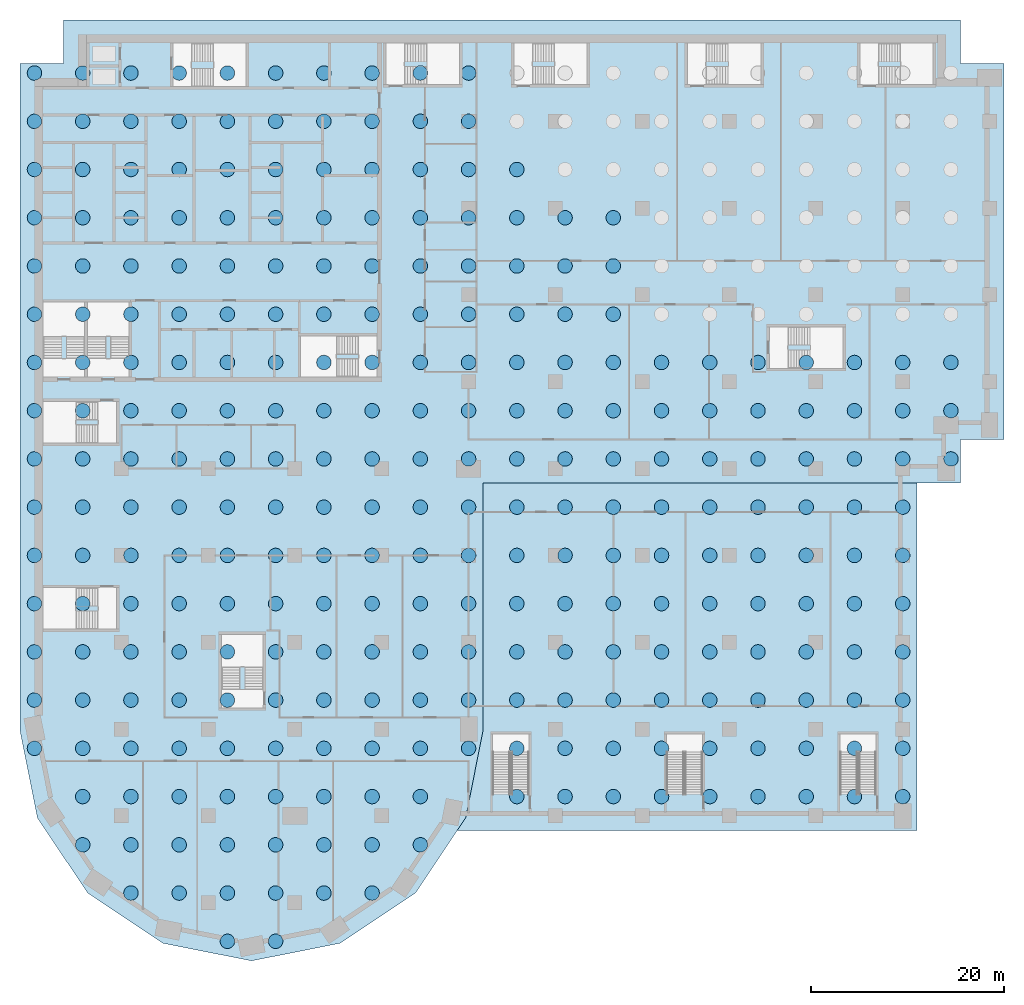
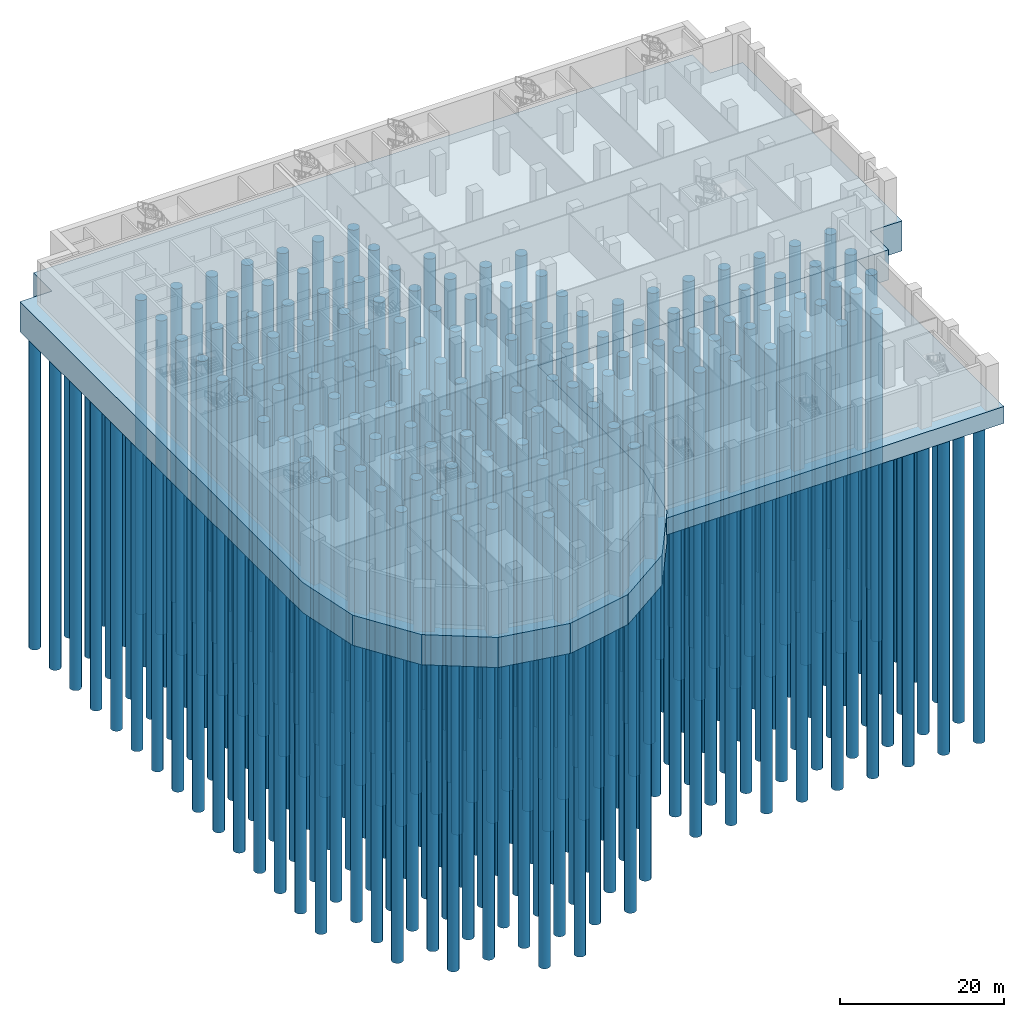
# One storey, part 1 of 25: 277 piles, 2 footings.
"""IFC4 building model written with IfcOpenShell, lengths in metres."""

import ifcopenshell
import ifcopenshell.guid

model = None  # the IFC model being written
_history = None  # IfcOwnerHistory: only IFC2X3 demands one
_inside = {}  # id of a spatial element -> (the spatial element, [elements in it])
_under = {}  # id of a project, library or spatial element -> (it, [spatial elements below it])
_declared = {}  # id of a project -> (the project, [libraries it declares])
_typed = {}  # id of a type object -> (the type object, [elements of that type])
_made_of = {}  # id of a material, layer set ... -> (it, [elements and type objects made of it])


def new_model(schema):
    """Start an empty IFC model of exactly this schema.

    Asked for "IFC4X3", IfcOpenShell would pick the latest addendum, in which some entities
    have other attributes; the version numbers below select the first issue.
    IFC2X3 requires an IfcOwnerHistory on every rooted entity: one is made here for all.
    """
    global model, _history
    if schema == "IFC4X3":
        model = ifcopenshell.file(schema_version=(4, 3, 0, 0))
    else:
        model = ifcopenshell.file(schema=schema)
    _inside.clear()
    _under.clear()
    _declared.clear()
    _typed.clear()
    _made_of.clear()
    _history = None
    if model.schema == "IFC2X3":
        org = make("IfcOrganization", Name="unknown")
        user = make(
            "IfcPersonAndOrganization",
            ThePerson=make("IfcPerson", FamilyName="unknown"),
            TheOrganization=org,
        )
        app = make(
            "IfcApplication",
            ApplicationDeveloper=org,
            Version="unknown",
            ApplicationFullName="unknown",
            ApplicationIdentifier="unknown",
        )
        _history = make(
            "IfcOwnerHistory",
            OwningUser=user,
            OwningApplication=app,
            ChangeAction="ADDED",
            CreationDate=0,
        )
    return model


def make(cls, **values):
    """One entity of the class cls with the attributes given. An attribute that is None is left unset."""
    return model.create_entity(
        cls, **{name: value for name, value in values.items() if value is not None}
    )


def rooted(cls, **values):
    """An entity with a GlobalId (a new one), such as an element, a storey or a relation."""
    return make(cls, GlobalId=ifcopenshell.guid.new(), OwnerHistory=_history, **values)


def si_unit(unit_type, name, prefix=None):
    """IfcSIUnit, for example si_unit("LENGTHUNIT", "METRE", prefix="MILLI")."""
    return make("IfcSIUnit", UnitType=unit_type, Prefix=prefix, Name=name)


def assignment(units):
    """IfcUnitAssignment: the units of a project."""
    return None if units is None else make("IfcUnitAssignment", Units=units)


def point(xyz):
    """IfcCartesianPoint."""
    return None if xyz is None else make("IfcCartesianPoint", Coordinates=xyz)


def direction(xyz):
    """IfcDirection."""
    return None if xyz is None else make("IfcDirection", DirectionRatios=xyz)


def frame(location, z_axis=None, x_axis=None):
    """IfcAxis2Placement3D, a coordinate frame: its origin and axes. An axis left out is left unset."""
    return make(
        "IfcAxis2Placement3D",
        Location=point(location),
        Axis=direction(z_axis),
        RefDirection=direction(x_axis),
    )


def frame_2d(location, x_axis=None):
    """IfcAxis2Placement2D, a coordinate frame in the plane: its origin and x axis."""
    return make(
        "IfcAxis2Placement2D", Location=point(location), RefDirection=direction(x_axis)
    )


def origin():
    """The frame at (0, 0, 0) with its axes left unset."""
    return frame((0.0, 0.0, 0.0))


def origin_2d():
    """The frame at (0, 0) in the plane with its x axis left unset."""
    return frame_2d((0.0, 0.0))


def place(relative_to, where):
    """IfcLocalPlacement: puts the frame where relative to a parent placement (None: the world)."""
    return make(
        "IfcLocalPlacement", PlacementRelTo=relative_to, RelativePlacement=where
    )


def context(
    kind, dimensions, precision=None, world=None, true_north=None, identifier=None
):
    """IfcGeometricRepresentationContext, for example the 3D "Model" context."""
    return make(
        "IfcGeometricRepresentationContext",
        ContextIdentifier=identifier,
        ContextType=kind,
        CoordinateSpaceDimension=dimensions,
        Precision=precision,
        WorldCoordinateSystem=world,
        TrueNorth=true_north,
    )


def subcontext(parent, identifier, kind, view, scale=None):
    """IfcGeometricRepresentationSubContext, for example "Body" below "Model"."""
    return make(
        "IfcGeometricRepresentationSubContext",
        ContextIdentifier=identifier,
        ContextType=kind,
        ParentContext=parent,
        TargetScale=scale,
        TargetView=view,
    )


def project(units=None, contexts=None):
    """IfcProject with its units and contexts."""
    return rooted(
        "IfcProject",
        Name="project",
        RepresentationContexts=contexts,
        UnitsInContext=assignment(units),
    )


def spatial(cls, under=None, at=None, **own):
    """A site, building, storey or space (cls), placed at a placement, below another one or the project."""
    s = rooted(cls, ObjectPlacement=at, **own)
    if under is not None:
        _under.setdefault(under.id(), (under, []))[1].append(s)
    return s


def polyline(points):
    """IfcPolyline through the points."""
    return make("IfcPolyline", Points=[point(p) for p in points])


def profile(cls, at=None, kind="AREA", **sizes):
    """A parametric profile (cls). Its sizes go by their IFC names, for example OverallWidth=200.0."""
    return make(cls, ProfileType=kind, Position=at, **sizes)


def circle(**sizes):
    """IfcCircleProfileDef."""
    return profile("IfcCircleProfileDef", **sizes)


def outline(outer, holes=None, kind="AREA"):
    """IfcArbitraryClosedProfileDef: a profile drawn as a closed curve; with holes, ...WithVoids."""
    if holes is None:
        return make("IfcArbitraryClosedProfileDef", ProfileType=kind, OuterCurve=outer)
    return make(
        "IfcArbitraryProfileDefWithVoids",
        ProfileType=kind,
        OuterCurve=outer,
        InnerCurves=holes,
    )


def extrude(swept, where, along, depth):
    """IfcExtrudedAreaSolid: the profile swept, set in the frame where, extruded along a direction by depth."""
    return make(
        "IfcExtrudedAreaSolid",
        SweptArea=swept,
        Position=where,
        ExtrudedDirection=direction(along),
        Depth=depth,
    )


def shape(context_of_items, identifier, shape_type, items):
    """IfcShapeRepresentation: the items that make up one representation, for example the "Body"."""
    return make(
        "IfcShapeRepresentation",
        ContextOfItems=context_of_items,
        RepresentationIdentifier=identifier,
        RepresentationType=shape_type,
        Items=items,
    )


def material(Name=None, Category=None):
    """IfcMaterial."""
    return make("IfcMaterial", Name=Name, Category=Category)


def layer(
    of_material, thickness, ventilated=None, Name=None, Category=None, Priority=None
):
    """IfcMaterialLayer: one layer of a wall or slab, of a material (None: an air gap)."""
    return make(
        "IfcMaterialLayer",
        Material=of_material,
        LayerThickness=thickness,
        IsVentilated=ventilated,
        Name=Name,
        Category=Category,
        Priority=Priority,
    )


def layer_set(layers, Name=None):
    """IfcMaterialLayerSet."""
    return make("IfcMaterialLayerSet", MaterialLayers=layers, LayerSetName=Name)


def material_profile(
    of_material, cross_section, Name=None, Category=None, Priority=None
):
    """IfcMaterialProfile: a cross section and its material."""
    return make(
        "IfcMaterialProfile",
        Name=Name,
        Material=of_material,
        Profile=cross_section,
        Priority=Priority,
        Category=Category,
    )


def profile_set(profiles, Name=None, composite=None):
    """IfcMaterialProfileSet."""
    return make(
        "IfcMaterialProfileSet",
        Name=Name,
        MaterialProfiles=profiles,
        CompositeProfile=composite,
    )


def made_of(thing, what):
    """Note that an element or type object is made of a material, layer set ...; save() writes the relation."""
    if what is not None:
        _made_of.setdefault(what.id(), (what, []))[1].append(thing)
    return thing


def type_object(cls, material=None, **own):
    """A type object (cls), such as IfcWallType, which elements share."""
    return made_of(rooted(cls, **own), material)


def element(
    cls,
    number,
    at=None,
    inside=None,
    cuts=None,
    type_object=None,
    material=None,
    context=None,
    identifier="Body",
    shape_type=None,
    held_by="IfcProductDefinitionShape",
    body=None,
    shapes=None,
    **own,
):
    """One element of the class cls, such as IfcWall. Its Tag is "e" and its number.

    at: its placement. inside: the storey or other place that contains it. cuts: it is an
    opening in that element (IfcRelVoidsElement). A single representation is given by context,
    identifier, shape_type and body (its items); several are given by shapes. held_by: the class
    of the entity that holds the representations. save() writes the other relations.
    """
    e = rooted(cls, Tag="e%d" % number, ObjectPlacement=at, **own)
    if body is not None:
        shapes = [shape(context, identifier, shape_type, body)]
    if shapes is not None:
        e.Representation = make(held_by, Representations=shapes)
    if inside is not None:
        _inside.setdefault(inside.id(), (inside, []))[1].append(e)
    if cuts is not None:
        rooted(
            "IfcRelVoidsElement", RelatingBuildingElement=cuts, RelatedOpeningElement=e
        )
    if type_object is not None:
        _typed.setdefault(type_object.id(), (type_object, []))[1].append(e)
    return made_of(e, material)


def aggregate(whole, parts):
    """IfcRelAggregates: a whole, such as a stair, and the parts it consists of."""
    return rooted("IfcRelAggregates", RelatingObject=whole, RelatedObjects=parts)


def save(model, path):
    """Write the relations noted so far, then the file.

    IfcRelAggregates (storeys below a building ...), IfcRelContainedInSpatialStructure (elements
    in a storey), IfcRelDefinesByType, IfcRelAssociatesMaterial and IfcRelDeclares: one each for
    every whole, place, type object, material and project.
    """
    for whole, parts in _under.values():
        aggregate(whole, parts)
    for where, things in _inside.values():
        rooted(
            "IfcRelContainedInSpatialStructure",
            RelatedElements=things,
            RelatingStructure=where,
        )
    for kind, things in _typed.values():
        rooted("IfcRelDefinesByType", RelatedObjects=things, RelatingType=kind)
    for what, things in _made_of.values():
        rooted("IfcRelAssociatesMaterial", RelatedObjects=things, RelatingMaterial=what)
    for by, libraries in _declared.values():
        rooted("IfcRelDeclares", RelatingContext=by, RelatedDefinitions=libraries)
    model.write(path)


model = new_model("IFC4")

# Units and contexts
model_context = context("Model", 3, precision=1e-05, world=origin(), true_north=direction((0.0, 1.0)))
body_context = subcontext(model_context, "Body", "Model", "MODEL_VIEW")
ifc_project = project(units=[si_unit("LENGTHUNIT", "METRE"), si_unit("AREAUNIT", "SQUARE_METRE"), si_unit("VOLUMEUNIT", "CUBIC_METRE"), si_unit("PLANEANGLEUNIT", "RADIAN"), si_unit("MASSUNIT", "GRAM", prefix="KILO")], contexts=[model_context])

# Site, building, storey
site_placement = place(None, origin())
site = spatial("IfcSite", under=ifc_project, at=site_placement, CompositionType="ELEMENT")
building_placement = place(site_placement, origin())
building = spatial("IfcBuilding", under=site, at=building_placement, Name="Hunhe Ridgeline Campus", CompositionType="ELEMENT")
storey_placement = place(building_placement, frame((0.0, 0.0, -6.0)))
storey = spatial("IfcBuildingStorey", under=building, at=storey_placement, Name="B1", CompositionType="ELEMENT", Elevation=-6.0)

# Piles
ifc_material_1 = material(Name="Concrete C35", Category="concrete")
ifc_material_profile_1 = material_profile(ifc_material_1, circle(Radius=0.75, at=origin_2d()))
ifc_profile_set_1 = profile_set([ifc_material_profile_1], Name="Concrete C35")
pile_type_1 = type_object("IfcPileType", Name="Bored pile D1500 under podium raft Concrete C35", PredefinedType="BORED", material=ifc_profile_set_1)
for number, where, z_axis, x_axis, name in (
    (1, (50.0, 20.0, -3.10009765625), (0.0, 0.0, -1.0), (1.0, 0.0, 0.0), "Bored pile D1500 at F2"),
    (2, (50.0, 25.0, -3.10009765625), (0.0, 0.0, -1.0), (1.0, 0.0, 0.0), "Bored pile D1500 at F2"),
    (3, (50.0, 30.0, -3.10009765625), (0.0, 0.0, -1.0), (1.0, 0.0, 0.0), "Bored pile D1500 at F2"),
    (4, (50.0, 35.0, -3.10009765625), (0.0, 0.0, -1.0), (1.0, 0.0, 0.0), "Bored pile D1500 at F2"),
    (5, (50.0, 40.0, -3.10009765625), (0.0, 0.0, -1.0), (1.0, 0.0, 0.0), "Bored pile D1500 at F2"),
    (6, (50.0, 45.0, -3.10009765625), (0.0, 0.0, -1.0), (1.0, 0.0, 0.0), "Bored pile D1500 at F2"),
    (7, (50.0, 50.0, -3.10009765625), (0.0, 0.0, -1.0), (1.0, 0.0, 0.0), "Bored pile D1500 at F2"),
    (8, (55.0, 20.0, -3.10009765625), (0.0, 0.0, -1.0), (1.0, 0.0, 0.0), "Bored pile D1500 at F2"),
    (9, (55.0, 25.0, -3.10009765625), (0.0, 0.0, -1.0), (1.0, 0.0, 0.0), "Bored pile D1500 at F2"),
    (10, (55.0, 30.0, -3.10009765625), (0.0, 0.0, -1.0), (1.0, 0.0, 0.0), "Bored pile D1500 at F2"),
    (11, (55.0, 35.0, -3.10009765625), (0.0, 0.0, -1.0), (1.0, 0.0, 0.0), "Bored pile D1500 at F2"),
    (12, (55.0, 40.0, -3.10009765625), (0.0, 0.0, -1.0), (1.0, 0.0, 0.0), "Bored pile D1500 at F2"),
    (13, (55.0, 45.0, -3.10009765625), (0.0, 0.0, -1.0), (1.0, 0.0, 0.0), "Bored pile D1500 at F2"),
    (14, (55.0, 50.0, -3.10009765625), (0.0, 0.0, -1.0), (1.0, 0.0, 0.0), "Bored pile D1500 at F2"),
    (15, (60.0, 20.0, -3.10009765625), (0.0, 0.0, -1.0), (1.0, 0.0, 0.0), "Bored pile D1500 at F2"),
    (16, (60.0, 25.0, -3.10009765625), (0.0, 0.0, -1.0), (1.0, 0.0, 0.0), "Bored pile D1500 at F2"),
    (17, (60.0, 30.0, -3.10009765625), (0.0, 0.0, -1.0), (1.0, 0.0, 0.0), "Bored pile D1500 at F2"),
    (18, (60.0, 35.0, -3.10009765625), (0.0, 0.0, -1.0), (1.0, 0.0, 0.0), "Bored pile D1500 at F2"),
    (19, (60.0, 40.0, -3.10009765625), (0.0, 0.0, -1.0), (1.0, 0.0, 0.0), "Bored pile D1500 at F2"),
    (20, (60.0, 45.0, -3.10009765625), (0.0, 0.0, -1.0), (1.0, 0.0, 0.0), "Bored pile D1500 at F2"),
    (21, (60.0, 50.0, -3.10009765625), (0.0, 0.0, -1.0), (1.0, 0.0, 0.0), "Bored pile D1500 at F2"),
    (22, (65.0, 20.0, -3.10009765625), (0.0, 0.0, -1.0), (1.0, 0.0, 0.0), "Bored pile D1500 at F2"),
    (23, (65.0, 25.0, -3.10009765625), (0.0, 0.0, -1.0), (1.0, 0.0, 0.0), "Bored pile D1500 at F2"),
    (24, (65.0, 30.0, -3.10009765625), (0.0, 0.0, -1.0), (1.0, 0.0, 0.0), "Bored pile D1500 at F2"),
    (25, (65.0, 35.0, -3.10009765625), (0.0, 0.0, -1.0), (1.0, 0.0, 0.0), "Bored pile D1500 at F2"),
    (26, (65.0, 40.0, -3.10009765625), (0.0, 0.0, -1.0), (1.0, 0.0, 0.0), "Bored pile D1500 at F2"),
    (27, (65.0, 45.0, -3.10009765625), (0.0, 0.0, -1.0), (1.0, 0.0, 0.0), "Bored pile D1500 at F2"),
    (28, (65.0, 50.0, -3.10009765625), (0.0, 0.0, -1.0), (1.0, 0.0, 0.0), "Bored pile D1500 at F2"),
    (29, (70.0, 20.0, -3.10009765625), (0.0, 0.0, -1.0), (1.0, 0.0, 0.0), "Bored pile D1500 at F2"),
    (30, (70.0, 25.0, -3.10009765625), (0.0, 0.0, -1.0), (1.0, 0.0, 0.0), "Bored pile D1500 at F2"),
    (31, (70.0, 30.0, -3.10009765625), (0.0, 0.0, -1.0), (1.0, 0.0, 0.0), "Bored pile D1500 at F2"),
    (32, (70.0, 35.0, -3.10009765625), (0.0, 0.0, -1.0), (1.0, 0.0, 0.0), "Bored pile D1500 at F2"),
    (33, (70.0, 40.0, -3.10009765625), (0.0, 0.0, -1.0), (1.0, 0.0, 0.0), "Bored pile D1500 at F2"),
    (34, (70.0, 45.0, -3.10009765625), (0.0, 0.0, -1.0), (1.0, 0.0, 0.0), "Bored pile D1500 at F2"),
    (35, (70.0, 50.0, -3.10009765625), (0.0, 0.0, -1.0), (1.0, 0.0, 0.0), "Bored pile D1500 at F2"),
    (36, (75.0, 20.0, -3.10009765625), (0.0, 0.0, -1.0), (1.0, 0.0, 0.0), "Bored pile D1500 at F2"),
    (37, (75.0, 25.0, -3.10009765625), (0.0, 0.0, -1.0), (1.0, 0.0, 0.0), "Bored pile D1500 at F2"),
    (38, (75.0, 30.0, -3.10009765625), (0.0, 0.0, -1.0), (1.0, 0.0, 0.0), "Bored pile D1500 at F2"),
    (39, (75.0, 35.0, -3.10009765625), (0.0, 0.0, -1.0), (1.0, 0.0, 0.0), "Bored pile D1500 at F2"),
    (40, (75.0, 40.0, -3.10009765625), (0.0, 0.0, -1.0), (1.0, 0.0, 0.0), "Bored pile D1500 at F2"),
    (41, (75.0, 45.0, -3.10009765625), (0.0, 0.0, -1.0), (1.0, 0.0, 0.0), "Bored pile D1500 at F2"),
    (42, (75.0, 50.0, -3.10009765625), (0.0, 0.0, -1.0), (1.0, 0.0, 0.0), "Bored pile D1500 at F2"),
    (43, (80.0, 20.0, -3.10009765625), (0.0, 0.0, -1.0), (1.0, 0.0, 0.0), "Bored pile D1500 at F2"),
    (44, (80.0, 25.0, -3.10009765625), (0.0, 0.0, -1.0), (1.0, 0.0, 0.0), "Bored pile D1500 at F2"),
    (45, (80.0, 30.0, -3.10009765625), (0.0, 0.0, -1.0), (1.0, 0.0, 0.0), "Bored pile D1500 at F2"),
    (46, (80.0, 35.0, -3.10009765625), (0.0, 0.0, -1.0), (1.0, 0.0, 0.0), "Bored pile D1500 at F2"),
    (47, (80.0, 40.0, -3.10009765625), (0.0, 0.0, -1.0), (1.0, 0.0, 0.0), "Bored pile D1500 at F2"),
    (48, (80.0, 45.0, -3.10009765625), (0.0, 0.0, -1.0), (1.0, 0.0, 0.0), "Bored pile D1500 at F2"),
    (49, (80.0, 50.0, -3.10009765625), (0.0, 0.0, -1.0), (1.0, 0.0, 0.0), "Bored pile D1500 at F2"),
    (50, (85.0, 20.0, -3.10009765625), (0.0, 0.0, -1.0), (1.0, 0.0, 0.0), "Bored pile D1500 at F2"),
    (51, (85.0, 25.0, -3.10009765625), (0.0, 0.0, -1.0), (1.0, 0.0, 0.0), "Bored pile D1500 at F2"),
    (52, (85.0, 30.0, -3.10009765625), (0.0, 0.0, -1.0), (1.0, 0.0, 0.0), "Bored pile D1500 at F2"),
    (53, (85.0, 35.0, -3.10009765625), (0.0, 0.0, -1.0), (1.0, 0.0, 0.0), "Bored pile D1500 at F2"),
    (54, (85.0, 40.0, -3.10009765625), (0.0, 0.0, -1.0), (1.0, 0.0, 0.0), "Bored pile D1500 at F2"),
    (55, (85.0, 45.0, -3.10009765625), (0.0, 0.0, -1.0), (1.0, 0.0, 0.0), "Bored pile D1500 at F2"),
    (56, (85.0, 50.0, -3.10009765625), (0.0, 0.0, -1.0), (1.0, 0.0, 0.0), "Bored pile D1500 at F2"),
    (57, (90.0, 20.0, -3.10009765625), (0.0, 0.0, -1.0), (1.0, 0.0, 0.0), "Bored pile D1500 at F2"),
    (58, (90.0, 25.0, -3.10009765625), (0.0, 0.0, -1.0), (1.0, 0.0, 0.0), "Bored pile D1500 at F2"),
    (59, (90.0, 30.0, -3.10009765625), (0.0, 0.0, -1.0), (1.0, 0.0, 0.0), "Bored pile D1500 at F2"),
    (60, (90.0, 35.0, -3.10009765625), (0.0, 0.0, -1.0), (1.0, 0.0, 0.0), "Bored pile D1500 at F2"),
    (61, (90.0, 40.0, -3.10009765625), (0.0, 0.0, -1.0), (1.0, 0.0, 0.0), "Bored pile D1500 at F2"),
    (62, (90.0, 45.0, -3.10009765625), (0.0, 0.0, -1.0), (1.0, 0.0, 0.0), "Bored pile D1500 at F2"),
    (63, (90.0, 50.0, -3.10009765625), (0.0, 0.0, -1.0), (1.0, 0.0, 0.0), "Bored pile D1500 at F2"),
):
    element("IfcPile", number, at=place(storey_placement, frame(where, z_axis=z_axis, x_axis=x_axis)), inside=storey, type_object=pile_type_1, Name=name, PredefinedType="BORED", context=body_context, shape_type="SweptSolid", body=[
        extrude(circle(Radius=0.75, at=origin_2d()), origin(), (0.0, 0.0, 1.0), 48.89990234375),
    ])
ifc_material_profile_2 = material_profile(ifc_material_1, circle(Radius=0.75, at=origin_2d()))
ifc_profile_set_2 = profile_set([ifc_material_profile_2], Name="Concrete C35")
pile_type_2 = type_object("IfcPileType", Name="Bored pile D1500 under tower raft Concrete C35", PredefinedType="BORED", material=ifc_profile_set_2)
for number, where, z_axis, x_axis, name in (
    (64, (0.0, 25.0, -5.10009765625), (0.0, 0.0, -1.0), (1.0, 0.0, 0.0), "Bored pile D1500 at F1"),
    (65, (0.0, 30.0, -5.10009765625), (0.0, 0.0, -1.0), (1.0, 0.0, 0.0), "Bored pile D1500 at F1"),
    (66, (0.0, 35.0, -5.10009765625), (0.0, 0.0, -1.0), (1.0, 0.0, 0.0), "Bored pile D1500 at F1"),
    (67, (0.0, 40.0, -5.10009765625), (0.0, 0.0, -1.0), (1.0, 0.0, 0.0), "Bored pile D1500 at F1"),
    (68, (0.0, 45.0, -5.10009765625), (0.0, 0.0, -1.0), (1.0, 0.0, 0.0), "Bored pile D1500 at F1"),
    (69, (0.0, 50.0, -5.10009765625), (0.0, 0.0, -1.0), (1.0, 0.0, 0.0), "Bored pile D1500 at F1"),
    (70, (0.0, 55.0, -5.10009765625), (0.0, 0.0, -1.0), (1.0, 0.0, 0.0), "Bored pile D1500 at F1"),
    (71, (0.0, 60.0, -5.10009765625), (0.0, 0.0, -1.0), (1.0, 0.0, 0.0), "Bored pile D1500 at F1"),
    (72, (0.0, 65.0, -5.10009765625), (0.0, 0.0, -1.0), (1.0, 0.0, 0.0), "Bored pile D1500 at F1"),
    (73, (0.0, 70.0, -5.10009765625), (0.0, 0.0, -1.0), (1.0, 0.0, 0.0), "Bored pile D1500 at F1"),
    (74, (0.0, 75.0, -5.10009765625), (0.0, 0.0, -1.0), (1.0, 0.0, 0.0), "Bored pile D1500 at F1"),
    (75, (0.0, 80.0, -5.10009765625), (0.0, 0.0, -1.0), (1.0, 0.0, 0.0), "Bored pile D1500 at F1"),
    (76, (0.0, 85.0, -5.10009765625), (0.0, 0.0, -1.0), (1.0, 0.0, 0.0), "Bored pile D1500 at F1"),
    (77, (0.0, 90.0, -5.10009765625), (0.0, 0.0, -1.0), (1.0, 0.0, 0.0), "Bored pile D1500 at F1"),
    (78, (0.0, 95.0, -5.10009765625), (0.0, 0.0, -1.0), (1.0, 0.0, 0.0), "Bored pile D1500 at F1"),
    (79, (5.0, 15.0, -5.10009765625), (0.0, 0.0, -1.0), (1.0, 0.0, 0.0), "Bored pile D1500 at F1"),
    (80, (5.0, 20.0, -5.10009765625), (0.0, 0.0, -1.0), (1.0, 0.0, 0.0), "Bored pile D1500 at F1"),
    (81, (5.0, 25.0, -5.10009765625), (0.0, 0.0, -1.0), (1.0, 0.0, 0.0), "Bored pile D1500 at F1"),
    (82, (5.0, 30.0, -5.10009765625), (0.0, 0.0, -1.0), (1.0, 0.0, 0.0), "Bored pile D1500 at F1"),
    (83, (5.0, 35.0, -5.10009765625), (0.0, 0.0, -1.0), (1.0, 0.0, 0.0), "Bored pile D1500 at F1"),
    (84, (5.0, 40.0, -5.10009765625), (0.0, 0.0, -1.0), (1.0, 0.0, 0.0), "Bored pile D1500 at F1"),
    (85, (5.0, 45.0, -5.10009765625), (0.0, 0.0, -1.0), (1.0, 0.0, 0.0), "Bored pile D1500 at F1"),
    (86, (5.0, 50.0, -5.10009765625), (0.0, 0.0, -1.0), (1.0, 0.0, 0.0), "Bored pile D1500 at F1"),
    (87, (5.0, 55.0, -5.10009765625), (0.0, 0.0, -1.0), (1.0, 0.0, 0.0), "Bored pile D1500 at F1"),
    (88, (5.0, 60.0, -5.10009765625), (0.0, 0.0, -1.0), (1.0, 0.0, 0.0), "Bored pile D1500 at F1"),
    (89, (5.0, 65.0, -5.10009765625), (0.0, 0.0, -1.0), (1.0, 0.0, 0.0), "Bored pile D1500 at F1"),
    (90, (5.0, 70.0, -5.10009765625), (0.0, 0.0, -1.0), (1.0, 0.0, 0.0), "Bored pile D1500 at F1"),
    (91, (5.0, 75.0, -5.10009765625), (0.0, 0.0, -1.0), (1.0, 0.0, 0.0), "Bored pile D1500 at F1"),
    (92, (5.0, 80.0, -5.10009765625), (0.0, 0.0, -1.0), (1.0, 0.0, 0.0), "Bored pile D1500 at F1"),
    (93, (5.0, 85.0, -5.10009765625), (0.0, 0.0, -1.0), (1.0, 0.0, 0.0), "Bored pile D1500 at F1"),
    (94, (5.0, 90.0, -5.10009765625), (0.0, 0.0, -1.0), (1.0, 0.0, 0.0), "Bored pile D1500 at F1"),
    (95, (5.0, 95.0, -5.10009765625), (0.0, 0.0, -1.0), (1.0, 0.0, 0.0), "Bored pile D1500 at F1"),
    (96, (10.0, 10.0, -5.10009765625), (0.0, 0.0, -1.0), (1.0, 0.0, 0.0), "Bored pile D1500 at F1"),
    (97, (10.0, 15.0, -5.10009765625), (0.0, 0.0, -1.0), (1.0, 0.0, 0.0), "Bored pile D1500 at F1"),
    (98, (10.0, 20.0, -5.10009765625), (0.0, 0.0, -1.0), (1.0, 0.0, 0.0), "Bored pile D1500 at F1"),
    (99, (10.0, 25.0, -5.10009765625), (0.0, 0.0, -1.0), (1.0, 0.0, 0.0), "Bored pile D1500 at F1"),
    (100, (10.0, 30.0, -5.10009765625), (0.0, 0.0, -1.0), (1.0, 0.0, 0.0), "Bored pile D1500 at F1"),
    (101, (10.0, 35.0, -5.10009765625), (0.0, 0.0, -1.0), (1.0, 0.0, 0.0), "Bored pile D1500 at F1"),
    (102, (10.0, 40.0, -5.10009765625), (0.0, 0.0, -1.0), (1.0, 0.0, 0.0), "Bored pile D1500 at F1"),
    (103, (10.0, 45.0, -5.10009765625), (0.0, 0.0, -1.0), (1.0, 0.0, 0.0), "Bored pile D1500 at F1"),
    (104, (10.0, 50.0, -5.10009765625), (0.0, 0.0, -1.0), (1.0, 0.0, 0.0), "Bored pile D1500 at F1"),
    (105, (10.0, 55.0, -5.10009765625), (0.0, 0.0, -1.0), (1.0, 0.0, 0.0), "Bored pile D1500 at F1"),
    (106, (10.0, 60.0, -5.10009765625), (0.0, 0.0, -1.0), (1.0, 0.0, 0.0), "Bored pile D1500 at F1"),
    (107, (10.0, 65.0, -5.10009765625), (0.0, 0.0, -1.0), (1.0, 0.0, 0.0), "Bored pile D1500 at F1"),
    (108, (10.0, 70.0, -5.10009765625), (0.0, 0.0, -1.0), (1.0, 0.0, 0.0), "Bored pile D1500 at F1"),
    (109, (10.0, 75.0, -5.10009765625), (0.0, 0.0, -1.0), (1.0, 0.0, 0.0), "Bored pile D1500 at F1"),
    (110, (10.0, 80.0, -5.10009765625), (0.0, 0.0, -1.0), (1.0, 0.0, 0.0), "Bored pile D1500 at F1"),
    (111, (10.0, 85.0, -5.10009765625), (0.0, 0.0, -1.0), (1.0, 0.0, 0.0), "Bored pile D1500 at F1"),
    (112, (10.0, 90.0, -5.10009765625), (0.0, 0.0, -1.0), (1.0, 0.0, 0.0), "Bored pile D1500 at F1"),
    (113, (10.0, 95.0, -5.10009765625), (0.0, 0.0, -1.0), (1.0, 0.0, 0.0), "Bored pile D1500 at F1"),
    (114, (15.0, 10.0, -5.10009765625), (0.0, 0.0, -1.0), (1.0, 0.0, 0.0), "Bored pile D1500 at F1"),
    (115, (15.0, 15.0, -5.10009765625), (0.0, 0.0, -1.0), (1.0, 0.0, 0.0), "Bored pile D1500 at F1"),
    (116, (15.0, 20.0, -5.10009765625), (0.0, 0.0, -1.0), (1.0, 0.0, 0.0), "Bored pile D1500 at F1"),
    (117, (15.0, 25.0, -5.10009765625), (0.0, 0.0, -1.0), (1.0, 0.0, 0.0), "Bored pile D1500 at F1"),
    (118, (15.0, 30.0, -5.10009765625), (0.0, 0.0, -1.0), (1.0, 0.0, 0.0), "Bored pile D1500 at F1"),
    (119, (15.0, 35.0, -5.10009765625), (0.0, 0.0, -1.0), (1.0, 0.0, 0.0), "Bored pile D1500 at F1"),
    (120, (15.0, 40.0, -5.10009765625), (0.0, 0.0, -1.0), (1.0, 0.0, 0.0), "Bored pile D1500 at F1"),
    (121, (15.0, 45.0, -5.10009765625), (0.0, 0.0, -1.0), (1.0, 0.0, 0.0), "Bored pile D1500 at F1"),
    (122, (15.0, 50.0, -5.10009765625), (0.0, 0.0, -1.0), (1.0, 0.0, 0.0), "Bored pile D1500 at F1"),
    (123, (15.0, 55.0, -5.10009765625), (0.0, 0.0, -1.0), (1.0, 0.0, 0.0), "Bored pile D1500 at F1"),
    (124, (15.0, 60.0, -5.10009765625), (0.0, 0.0, -1.0), (1.0, 0.0, 0.0), "Bored pile D1500 at F1"),
    (125, (15.0, 65.0, -5.10009765625), (0.0, 0.0, -1.0), (1.0, 0.0, 0.0), "Bored pile D1500 at F1"),
    (126, (15.0, 70.0, -5.10009765625), (0.0, 0.0, -1.0), (1.0, 0.0, 0.0), "Bored pile D1500 at F1"),
    (127, (15.0, 75.0, -5.10009765625), (0.0, 0.0, -1.0), (1.0, 0.0, 0.0), "Bored pile D1500 at F1"),
    (128, (15.0, 80.0, -5.10009765625), (0.0, 0.0, -1.0), (1.0, 0.0, 0.0), "Bored pile D1500 at F1"),
    (129, (15.0, 85.0, -5.10009765625), (0.0, 0.0, -1.0), (1.0, 0.0, 0.0), "Bored pile D1500 at F1"),
    (130, (15.0, 90.0, -5.10009765625), (0.0, 0.0, -1.0), (1.0, 0.0, 0.0), "Bored pile D1500 at F1"),
    (131, (15.0, 95.0, -5.10009765625), (0.0, 0.0, -1.0), (1.0, 0.0, 0.0), "Bored pile D1500 at F1"),
    (132, (20.0, 5.0, -5.10009765625), (0.0, 0.0, -1.0), (1.0, 0.0, 0.0), "Bored pile D1500 at F1"),
    (133, (20.0, 10.0, -5.10009765625), (0.0, 0.0, -1.0), (1.0, 0.0, 0.0), "Bored pile D1500 at F1"),
    (134, (20.0, 15.0, -5.10009765625), (0.0, 0.0, -1.0), (1.0, 0.0, 0.0), "Bored pile D1500 at F1"),
    (135, (20.0, 20.0, -5.10009765625), (0.0, 0.0, -1.0), (1.0, 0.0, 0.0), "Bored pile D1500 at F1"),
    (136, (20.0, 25.0, -5.10009765625), (0.0, 0.0, -1.0), (1.0, 0.0, 0.0), "Bored pile D1500 at F1"),
    (137, (20.0, 30.0, -5.10009765625), (0.0, 0.0, -1.0), (1.0, 0.0, 0.0), "Bored pile D1500 at F1"),
    (138, (20.0, 35.0, -5.10009765625), (0.0, 0.0, -1.0), (1.0, 0.0, 0.0), "Bored pile D1500 at F1"),
    (139, (20.0, 40.0, -5.10009765625), (0.0, 0.0, -1.0), (1.0, 0.0, 0.0), "Bored pile D1500 at F1"),
    (140, (20.0, 45.0, -5.10009765625), (0.0, 0.0, -1.0), (1.0, 0.0, 0.0), "Bored pile D1500 at F1"),
    (141, (20.0, 50.0, -5.10009765625), (0.0, 0.0, -1.0), (1.0, 0.0, 0.0), "Bored pile D1500 at F1"),
    (142, (20.0, 55.0, -5.10009765625), (0.0, 0.0, -1.0), (1.0, 0.0, 0.0), "Bored pile D1500 at F1"),
    (143, (20.0, 60.0, -5.10009765625), (0.0, 0.0, -1.0), (1.0, 0.0, 0.0), "Bored pile D1500 at F1"),
    (144, (20.0, 65.0, -5.10009765625), (0.0, 0.0, -1.0), (1.0, 0.0, 0.0), "Bored pile D1500 at F1"),
    (145, (20.0, 70.0, -5.10009765625), (0.0, 0.0, -1.0), (1.0, 0.0, 0.0), "Bored pile D1500 at F1"),
    (146, (20.0, 75.0, -5.10009765625), (0.0, 0.0, -1.0), (1.0, 0.0, 0.0), "Bored pile D1500 at F1"),
    (147, (20.0, 80.0, -5.10009765625), (0.0, 0.0, -1.0), (1.0, 0.0, 0.0), "Bored pile D1500 at F1"),
    (148, (20.0, 85.0, -5.10009765625), (0.0, 0.0, -1.0), (1.0, 0.0, 0.0), "Bored pile D1500 at F1"),
    (149, (20.0, 90.0, -5.10009765625), (0.0, 0.0, -1.0), (1.0, 0.0, 0.0), "Bored pile D1500 at F1"),
    (150, (20.0, 95.0, -5.10009765625), (0.0, 0.0, -1.0), (1.0, 0.0, 0.0), "Bored pile D1500 at F1"),
    (151, (25.0, 5.0, -5.10009765625), (0.0, 0.0, -1.0), (1.0, 0.0, 0.0), "Bored pile D1500 at F1"),
    (152, (25.0, 10.0, -5.10009765625), (0.0, 0.0, -1.0), (1.0, 0.0, 0.0), "Bored pile D1500 at F1"),
    (153, (25.0, 15.0, -5.10009765625), (0.0, 0.0, -1.0), (1.0, 0.0, 0.0), "Bored pile D1500 at F1"),
    (154, (25.0, 20.0, -5.10009765625), (0.0, 0.0, -1.0), (1.0, 0.0, 0.0), "Bored pile D1500 at F1"),
    (155, (25.0, 25.0, -5.10009765625), (0.0, 0.0, -1.0), (1.0, 0.0, 0.0), "Bored pile D1500 at F1"),
    (156, (25.0, 30.0, -5.10009765625), (0.0, 0.0, -1.0), (1.0, 0.0, 0.0), "Bored pile D1500 at F1"),
    (157, (25.0, 35.0, -5.10009765625), (0.0, 0.0, -1.0), (1.0, 0.0, 0.0), "Bored pile D1500 at F1"),
    (158, (25.0, 40.0, -5.10009765625), (0.0, 0.0, -1.0), (1.0, 0.0, 0.0), "Bored pile D1500 at F1"),
    (159, (25.0, 45.0, -5.10009765625), (0.0, 0.0, -1.0), (1.0, 0.0, 0.0), "Bored pile D1500 at F1"),
    (160, (25.0, 50.0, -5.10009765625), (0.0, 0.0, -1.0), (1.0, 0.0, 0.0), "Bored pile D1500 at F1"),
    (161, (25.0, 55.0, -5.10009765625), (0.0, 0.0, -1.0), (1.0, 0.0, 0.0), "Bored pile D1500 at F1"),
    (162, (25.0, 60.0, -5.10009765625), (0.0, 0.0, -1.0), (1.0, 0.0, 0.0), "Bored pile D1500 at F1"),
    (163, (25.0, 65.0, -5.10009765625), (0.0, 0.0, -1.0), (1.0, 0.0, 0.0), "Bored pile D1500 at F1"),
    (164, (25.0, 70.0, -5.10009765625), (0.0, 0.0, -1.0), (1.0, 0.0, 0.0), "Bored pile D1500 at F1"),
    (165, (25.0, 75.0, -5.10009765625), (0.0, 0.0, -1.0), (1.0, 0.0, 0.0), "Bored pile D1500 at F1"),
    (166, (25.0, 80.0, -5.10009765625), (0.0, 0.0, -1.0), (1.0, 0.0, 0.0), "Bored pile D1500 at F1"),
    (167, (25.0, 85.0, -5.10009765625), (0.0, 0.0, -1.0), (1.0, 0.0, 0.0), "Bored pile D1500 at F1"),
    (168, (25.0, 90.0, -5.10009765625), (0.0, 0.0, -1.0), (1.0, 0.0, 0.0), "Bored pile D1500 at F1"),
    (169, (25.0, 95.0, -5.10009765625), (0.0, 0.0, -1.0), (1.0, 0.0, 0.0), "Bored pile D1500 at F1"),
    (170, (30.0, 10.0, -5.10009765625), (0.0, 0.0, -1.0), (1.0, 0.0, 0.0), "Bored pile D1500 at F1"),
    (171, (30.0, 15.0, -5.10009765625), (0.0, 0.0, -1.0), (1.0, 0.0, 0.0), "Bored pile D1500 at F1"),
    (172, (30.0, 20.0, -5.10009765625), (0.0, 0.0, -1.0), (1.0, 0.0, 0.0), "Bored pile D1500 at F1"),
    (173, (30.0, 25.0, -5.10009765625), (0.0, 0.0, -1.0), (1.0, 0.0, 0.0), "Bored pile D1500 at F1"),
    (174, (30.0, 30.0, -5.10009765625), (0.0, 0.0, -1.0), (1.0, 0.0, 0.0), "Bored pile D1500 at F1"),
    (175, (30.0, 35.0, -5.10009765625), (0.0, 0.0, -1.0), (1.0, 0.0, 0.0), "Bored pile D1500 at F1"),
    (176, (30.0, 40.0, -5.10009765625), (0.0, 0.0, -1.0), (1.0, 0.0, 0.0), "Bored pile D1500 at F1"),
    (177, (30.0, 45.0, -5.10009765625), (0.0, 0.0, -1.0), (1.0, 0.0, 0.0), "Bored pile D1500 at F1"),
    (178, (30.0, 50.0, -5.10009765625), (0.0, 0.0, -1.0), (1.0, 0.0, 0.0), "Bored pile D1500 at F1"),
    (179, (30.0, 55.0, -5.10009765625), (0.0, 0.0, -1.0), (1.0, 0.0, 0.0), "Bored pile D1500 at F1"),
    (180, (30.0, 60.0, -5.10009765625), (0.0, 0.0, -1.0), (1.0, 0.0, 0.0), "Bored pile D1500 at F1"),
    (181, (30.0, 65.0, -5.10009765625), (0.0, 0.0, -1.0), (1.0, 0.0, 0.0), "Bored pile D1500 at F1"),
    (182, (30.0, 70.0, -5.10009765625), (0.0, 0.0, -1.0), (1.0, 0.0, 0.0), "Bored pile D1500 at F1"),
    (183, (30.0, 75.0, -5.10009765625), (0.0, 0.0, -1.0), (1.0, 0.0, 0.0), "Bored pile D1500 at F1"),
    (184, (30.0, 80.0, -5.10009765625), (0.0, 0.0, -1.0), (1.0, 0.0, 0.0), "Bored pile D1500 at F1"),
    (185, (30.0, 85.0, -5.10009765625), (0.0, 0.0, -1.0), (1.0, 0.0, 0.0), "Bored pile D1500 at F1"),
    (186, (30.0, 90.0, -5.10009765625), (0.0, 0.0, -1.0), (1.0, 0.0, 0.0), "Bored pile D1500 at F1"),
    (187, (30.0, 95.0, -5.10009765625), (0.0, 0.0, -1.0), (1.0, 0.0, 0.0), "Bored pile D1500 at F1"),
    (188, (35.0, 10.0, -5.10009765625), (0.0, 0.0, -1.0), (1.0, 0.0, 0.0), "Bored pile D1500 at F1"),
    (189, (35.0, 15.0, -5.10009765625), (0.0, 0.0, -1.0), (1.0, 0.0, 0.0), "Bored pile D1500 at F1"),
    (190, (35.0, 20.0, -5.10009765625), (0.0, 0.0, -1.0), (1.0, 0.0, 0.0), "Bored pile D1500 at F1"),
    (191, (35.0, 25.0, -5.10009765625), (0.0, 0.0, -1.0), (1.0, 0.0, 0.0), "Bored pile D1500 at F1"),
    (192, (35.0, 30.0, -5.10009765625), (0.0, 0.0, -1.0), (1.0, 0.0, 0.0), "Bored pile D1500 at F1"),
    (193, (35.0, 35.0, -5.10009765625), (0.0, 0.0, -1.0), (1.0, 0.0, 0.0), "Bored pile D1500 at F1"),
    (194, (35.0, 40.0, -5.10009765625), (0.0, 0.0, -1.0), (1.0, 0.0, 0.0), "Bored pile D1500 at F1"),
    (195, (35.0, 45.0, -5.10009765625), (0.0, 0.0, -1.0), (1.0, 0.0, 0.0), "Bored pile D1500 at F1"),
    (196, (35.0, 50.0, -5.10009765625), (0.0, 0.0, -1.0), (1.0, 0.0, 0.0), "Bored pile D1500 at F1"),
    (197, (35.0, 55.0, -5.10009765625), (0.0, 0.0, -1.0), (1.0, 0.0, 0.0), "Bored pile D1500 at F1"),
    (198, (35.0, 60.0, -5.10009765625), (0.0, 0.0, -1.0), (1.0, 0.0, 0.0), "Bored pile D1500 at F1"),
    (199, (35.0, 65.0, -5.10009765625), (0.0, 0.0, -1.0), (1.0, 0.0, 0.0), "Bored pile D1500 at F1"),
    (200, (35.0, 70.0, -5.10009765625), (0.0, 0.0, -1.0), (1.0, 0.0, 0.0), "Bored pile D1500 at F1"),
    (201, (35.0, 75.0, -5.10009765625), (0.0, 0.0, -1.0), (1.0, 0.0, 0.0), "Bored pile D1500 at F1"),
    (202, (35.0, 80.0, -5.10009765625), (0.0, 0.0, -1.0), (1.0, 0.0, 0.0), "Bored pile D1500 at F1"),
    (203, (35.0, 85.0, -5.10009765625), (0.0, 0.0, -1.0), (1.0, 0.0, 0.0), "Bored pile D1500 at F1"),
    (204, (35.0, 90.0, -5.10009765625), (0.0, 0.0, -1.0), (1.0, 0.0, 0.0), "Bored pile D1500 at F1"),
    (205, (35.0, 95.0, -5.10009765625), (0.0, 0.0, -1.0), (1.0, 0.0, 0.0), "Bored pile D1500 at F1"),
    (206, (40.0, 15.0, -5.10009765625), (0.0, 0.0, -1.0), (1.0, 0.0, 0.0), "Bored pile D1500 at F1"),
    (207, (40.0, 20.0, -5.10009765625), (0.0, 0.0, -1.0), (1.0, 0.0, 0.0), "Bored pile D1500 at F1"),
    (208, (40.0, 25.0, -5.10009765625), (0.0, 0.0, -1.0), (1.0, 0.0, 0.0), "Bored pile D1500 at F1"),
    (209, (40.0, 30.0, -5.10009765625), (0.0, 0.0, -1.0), (1.0, 0.0, 0.0), "Bored pile D1500 at F1"),
    (210, (40.0, 35.0, -5.10009765625), (0.0, 0.0, -1.0), (1.0, 0.0, 0.0), "Bored pile D1500 at F1"),
    (211, (40.0, 40.0, -5.10009765625), (0.0, 0.0, -1.0), (1.0, 0.0, 0.0), "Bored pile D1500 at F1"),
    (212, (40.0, 45.0, -5.10009765625), (0.0, 0.0, -1.0), (1.0, 0.0, 0.0), "Bored pile D1500 at F1"),
    (213, (40.0, 50.0, -5.10009765625), (0.0, 0.0, -1.0), (1.0, 0.0, 0.0), "Bored pile D1500 at F1"),
    (214, (40.0, 55.0, -5.10009765625), (0.0, 0.0, -1.0), (1.0, 0.0, 0.0), "Bored pile D1500 at F1"),
    (215, (40.0, 60.0, -5.10009765625), (0.0, 0.0, -1.0), (1.0, 0.0, 0.0), "Bored pile D1500 at F1"),
    (216, (40.0, 65.0, -5.10009765625), (0.0, 0.0, -1.0), (1.0, 0.0, 0.0), "Bored pile D1500 at F1"),
    (217, (40.0, 70.0, -5.10009765625), (0.0, 0.0, -1.0), (1.0, 0.0, 0.0), "Bored pile D1500 at F1"),
    (218, (40.0, 75.0, -5.10009765625), (0.0, 0.0, -1.0), (1.0, 0.0, 0.0), "Bored pile D1500 at F1"),
    (219, (40.0, 80.0, -5.10009765625), (0.0, 0.0, -1.0), (1.0, 0.0, 0.0), "Bored pile D1500 at F1"),
    (220, (40.0, 85.0, -5.10009765625), (0.0, 0.0, -1.0), (1.0, 0.0, 0.0), "Bored pile D1500 at F1"),
    (221, (40.0, 90.0, -5.10009765625), (0.0, 0.0, -1.0), (1.0, 0.0, 0.0), "Bored pile D1500 at F1"),
    (222, (40.0, 95.0, -5.10009765625), (0.0, 0.0, -1.0), (1.0, 0.0, 0.0), "Bored pile D1500 at F1"),
    (223, (45.0, 25.0, -5.10009765625), (0.0, 0.0, -1.0), (1.0, 0.0, 0.0), "Bored pile D1500 at F1"),
    (224, (45.0, 30.0, -5.10009765625), (0.0, 0.0, -1.0), (1.0, 0.0, 0.0), "Bored pile D1500 at F1"),
    (225, (45.0, 35.0, -5.10009765625), (0.0, 0.0, -1.0), (1.0, 0.0, 0.0), "Bored pile D1500 at F1"),
    (226, (45.0, 40.0, -5.10009765625), (0.0, 0.0, -1.0), (1.0, 0.0, 0.0), "Bored pile D1500 at F1"),
    (227, (45.0, 45.0, -5.10009765625), (0.0, 0.0, -1.0), (1.0, 0.0, 0.0), "Bored pile D1500 at F1"),
    (228, (45.0, 50.0, -5.10009765625), (0.0, 0.0, -1.0), (1.0, 0.0, 0.0), "Bored pile D1500 at F1"),
    (229, (45.0, 55.0, -5.10009765625), (0.0, 0.0, -1.0), (1.0, 0.0, 0.0), "Bored pile D1500 at F1"),
    (230, (45.0, 60.0, -5.10009765625), (0.0, 0.0, -1.0), (1.0, 0.0, 0.0), "Bored pile D1500 at F1"),
    (231, (45.0, 65.0, -5.10009765625), (0.0, 0.0, -1.0), (1.0, 0.0, 0.0), "Bored pile D1500 at F1"),
    (232, (45.0, 70.0, -5.10009765625), (0.0, 0.0, -1.0), (1.0, 0.0, 0.0), "Bored pile D1500 at F1"),
    (233, (45.0, 75.0, -5.10009765625), (0.0, 0.0, -1.0), (1.0, 0.0, 0.0), "Bored pile D1500 at F1"),
    (234, (45.0, 80.0, -5.10009765625), (0.0, 0.0, -1.0), (1.0, 0.0, 0.0), "Bored pile D1500 at F1"),
    (235, (45.0, 85.0, -5.10009765625), (0.0, 0.0, -1.0), (1.0, 0.0, 0.0), "Bored pile D1500 at F1"),
    (236, (45.0, 90.0, -5.10009765625), (0.0, 0.0, -1.0), (1.0, 0.0, 0.0), "Bored pile D1500 at F1"),
    (237, (45.0, 95.0, -5.10009765625), (0.0, 0.0, -1.0), (1.0, 0.0, 0.0), "Bored pile D1500 at F1"),
    (238, (50.0, 55.0, -5.10009765625), (0.0, 0.0, -1.0), (1.0, 0.0, 0.0), "Bored pile D1500 at F1"),
    (239, (50.0, 60.0, -5.10009765625), (0.0, 0.0, -1.0), (1.0, 0.0, 0.0), "Bored pile D1500 at F1"),
    (240, (50.0, 65.0, -5.10009765625), (0.0, 0.0, -1.0), (1.0, 0.0, 0.0), "Bored pile D1500 at F1"),
    (241, (50.0, 70.0, -5.10009765625), (0.0, 0.0, -1.0), (1.0, 0.0, 0.0), "Bored pile D1500 at F1"),
    (242, (50.0, 75.0, -5.10009765625), (0.0, 0.0, -1.0), (1.0, 0.0, 0.0), "Bored pile D1500 at F1"),
    (243, (50.0, 80.0, -5.10009765625), (0.0, 0.0, -1.0), (1.0, 0.0, 0.0), "Bored pile D1500 at F1"),
    (244, (50.0, 85.0, -5.10009765625), (0.0, 0.0, -1.0), (1.0, 0.0, 0.0), "Bored pile D1500 at F1"),
    (245, (55.0, 55.0, -5.10009765625), (0.0, 0.0, -1.0), (1.0, 0.0, 0.0), "Bored pile D1500 at F1"),
    (246, (55.0, 60.0, -5.10009765625), (0.0, 0.0, -1.0), (1.0, 0.0, 0.0), "Bored pile D1500 at F1"),
    (247, (55.0, 65.0, -5.10009765625), (0.0, 0.0, -1.0), (1.0, 0.0, 0.0), "Bored pile D1500 at F1"),
    (248, (55.0, 70.0, -5.10009765625), (0.0, 0.0, -1.0), (1.0, 0.0, 0.0), "Bored pile D1500 at F1"),
    (249, (55.0, 75.0, -5.10009765625), (0.0, 0.0, -1.0), (1.0, 0.0, 0.0), "Bored pile D1500 at F1"),
    (250, (55.0, 80.0, -5.10009765625), (0.0, 0.0, -1.0), (1.0, 0.0, 0.0), "Bored pile D1500 at F1"),
    (251, (60.0, 55.0, -5.10009765625), (0.0, 0.0, -1.0), (1.0, 0.0, 0.0), "Bored pile D1500 at F1"),
    (252, (60.0, 60.0, -5.10009765625), (0.0, 0.0, -1.0), (1.0, 0.0, 0.0), "Bored pile D1500 at F1"),
    (253, (60.0, 65.0, -5.10009765625), (0.0, 0.0, -1.0), (1.0, 0.0, 0.0), "Bored pile D1500 at F1"),
    (254, (60.0, 70.0, -5.10009765625), (0.0, 0.0, -1.0), (1.0, 0.0, 0.0), "Bored pile D1500 at F1"),
    (255, (60.0, 75.0, -5.10009765625), (0.0, 0.0, -1.0), (1.0, 0.0, 0.0), "Bored pile D1500 at F1"),
    (256, (60.0, 80.0, -5.10009765625), (0.0, 0.0, -1.0), (1.0, 0.0, 0.0), "Bored pile D1500 at F1"),
    (257, (65.0, 55.0, -5.10009765625), (0.0, 0.0, -1.0), (1.0, 0.0, 0.0), "Bored pile D1500 at F1"),
    (258, (65.0, 60.0, -5.10009765625), (0.0, 0.0, -1.0), (1.0, 0.0, 0.0), "Bored pile D1500 at F1"),
    (259, (65.0, 65.0, -5.10009765625), (0.0, 0.0, -1.0), (1.0, 0.0, 0.0), "Bored pile D1500 at F1"),
    (260, (70.0, 55.0, -5.10009765625), (0.0, 0.0, -1.0), (1.0, 0.0, 0.0), "Bored pile D1500 at F1"),
    (261, (70.0, 60.0, -5.10009765625), (0.0, 0.0, -1.0), (1.0, 0.0, 0.0), "Bored pile D1500 at F1"),
    (262, (70.0, 65.0, -5.10009765625), (0.0, 0.0, -1.0), (1.0, 0.0, 0.0), "Bored pile D1500 at F1"),
    (263, (75.0, 55.0, -5.10009765625), (0.0, 0.0, -1.0), (1.0, 0.0, 0.0), "Bored pile D1500 at F1"),
    (264, (75.0, 60.0, -5.10009765625), (0.0, 0.0, -1.0), (1.0, 0.0, 0.0), "Bored pile D1500 at F1"),
    (265, (75.0, 65.0, -5.10009765625), (0.0, 0.0, -1.0), (1.0, 0.0, 0.0), "Bored pile D1500 at F1"),
    (266, (80.0, 55.0, -5.10009765625), (0.0, 0.0, -1.0), (1.0, 0.0, 0.0), "Bored pile D1500 at F1"),
    (267, (80.0, 60.0, -5.10009765625), (0.0, 0.0, -1.0), (1.0, 0.0, 0.0), "Bored pile D1500 at F1"),
    (268, (80.0, 65.0, -5.10009765625), (0.0, 0.0, -1.0), (1.0, 0.0, 0.0), "Bored pile D1500 at F1"),
    (269, (85.0, 55.0, -5.10009765625), (0.0, 0.0, -1.0), (1.0, 0.0, 0.0), "Bored pile D1500 at F1"),
    (270, (85.0, 60.0, -5.10009765625), (0.0, 0.0, -1.0), (1.0, 0.0, 0.0), "Bored pile D1500 at F1"),
    (271, (85.0, 65.0, -5.10009765625), (0.0, 0.0, -1.0), (1.0, 0.0, 0.0), "Bored pile D1500 at F1"),
    (272, (90.0, 55.0, -5.10009765625), (0.0, 0.0, -1.0), (1.0, 0.0, 0.0), "Bored pile D1500 at F1"),
    (273, (90.0, 60.0, -5.10009765625), (0.0, 0.0, -1.0), (1.0, 0.0, 0.0), "Bored pile D1500 at F1"),
    (274, (90.0, 65.0, -5.10009765625), (0.0, 0.0, -1.0), (1.0, 0.0, 0.0), "Bored pile D1500 at F1"),
    (275, (95.0, 55.0, -5.10009765625), (0.0, 0.0, -1.0), (1.0, 0.0, 0.0), "Bored pile D1500 at F1"),
    (276, (95.0, 60.0, -5.10009765625), (0.0, 0.0, -1.0), (1.0, 0.0, 0.0), "Bored pile D1500 at F1"),
    (277, (95.0, 65.0, -5.10009765625), (0.0, 0.0, -1.0), (1.0, 0.0, 0.0), "Bored pile D1500 at F1"),
):
    element("IfcPile", number, at=place(storey_placement, frame(where, z_axis=z_axis, x_axis=x_axis)), inside=storey, type_object=pile_type_2, Name=name, PredefinedType="BORED", context=body_context, shape_type="SweptSolid", body=[
        extrude(circle(Radius=0.75, at=origin_2d()), origin(), (0.0, 0.0, 1.0), 46.89990234375),
    ])

# Footings
ifc_material_2 = material(Name="Concrete C40", Category="concrete")
ifc_layer_1 = layer(ifc_material_2, 2.5)
ifc_layer_set_1 = layer_set([ifc_layer_1], Name="Podium raft 2500 Concrete C40")
footing_type_1 = type_object("IfcFootingType", Name="Podium raft 2500 Concrete C40", PredefinedType="PILE_CAP", material=ifc_layer_set_1)
footing_1_placement = place(storey_placement, frame((0.0, 0.0, -3.10009765625)))
element("IfcFooting", 278, at=footing_1_placement, inside=storey, type_object=footing_type_1, Name="Podium raft", PredefinedType="PILE_CAP", context=body_context, shape_type="SweptSolid", body=[
    extrude(outline(polyline([(91.5, 16.5), (91.5, 52.5), (46.5, 52.5), (46.5, 26.852294921875), (44.7001953125, 17.804443359375), (39.491455078125, 10.008544921875), (43.82861328125, 16.5), (91.5, 16.5)])), origin(), (0.0, 0.0, 1.0), 2.5),
])
ifc_layer_2 = layer(ifc_material_2, 4.5)
ifc_layer_set_2 = layer_set([ifc_layer_2], Name="Tower raft 4500 Concrete C40")
footing_type_2 = type_object("IfcFootingType", Name="Tower raft 4500 Concrete C40", PredefinedType="PILE_CAP", material=ifc_layer_set_2)
footing_2_placement = place(storey_placement, frame((0.0, 0.0, -5.10009765625)))
element("IfcFooting", 279, at=footing_2_placement, inside=storey, type_object=footing_type_2, Name="Tower raft", PredefinedType="PILE_CAP", context=body_context, shape_type="SweptSolid", body=[
    extrude(outline(polyline([(-1.5, 26.852294921875), (0.2998046875, 17.804443359375), (5.508544921875, 10.008544921875), (13.304443359375, 4.7998046875), (22.5, 2.970703125), (31.695556640625, 4.7998046875), (39.491455078125, 10.008544921875), (44.7001953125, 17.804443359375), (46.5, 26.852294921875), (46.5, 52.5), (96.0, 52.5), (96.0, 57.0), (100.5, 57.0), (100.5, 96.0), (96.0, 96.0), (96.0, 100.5), (3.0, 100.5), (3.0, 96.0), (-1.5, 96.0), (-1.5, 26.852294921875)])), origin(), (0.0, 0.0, 1.0), 4.5),
])

save(model, "model.ifc")
